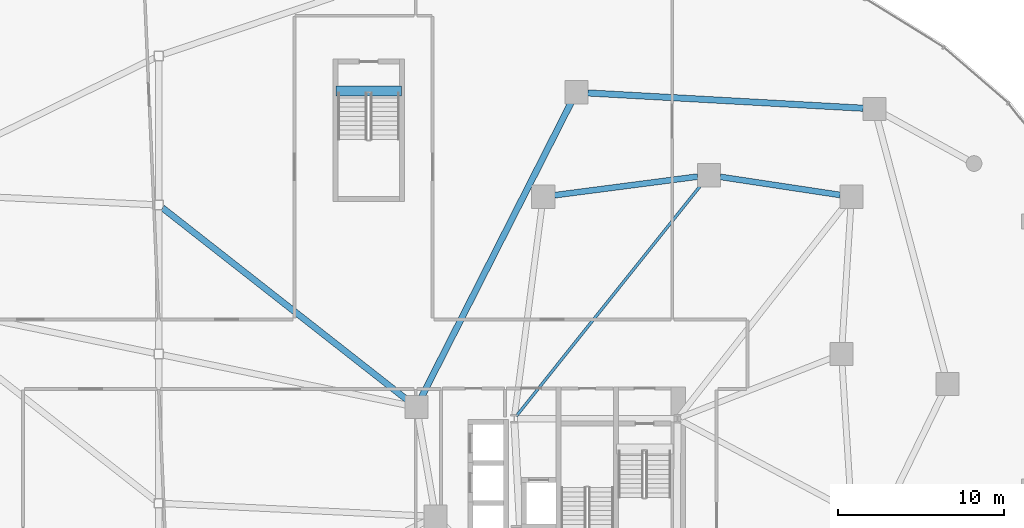
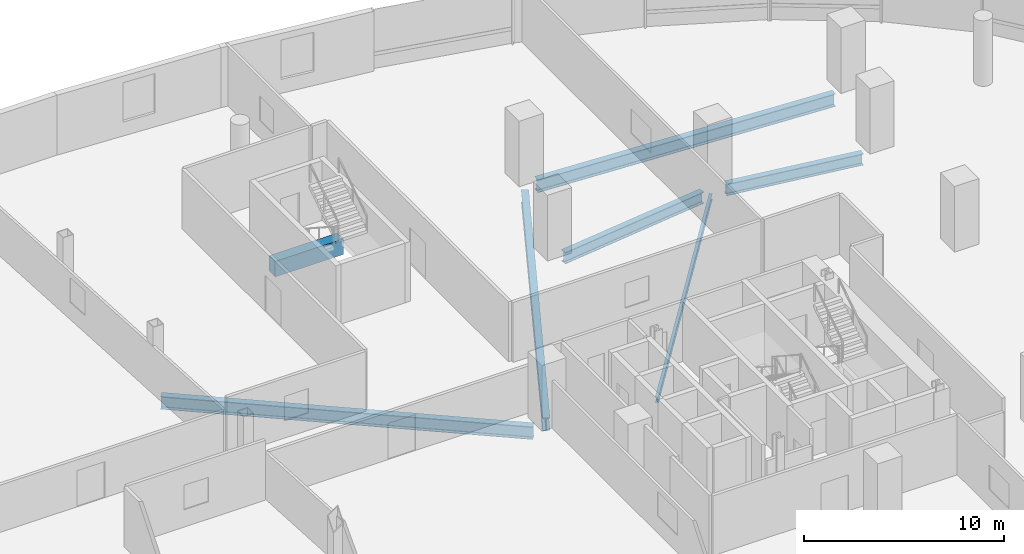
# One storey, part 9 of 19: 7 beams.
"""IFC4 building model written with IfcOpenShell, lengths in metres."""

from ifc_helpers import new_model, si_unit, direction, frame, origin, origin_2d, place, context, subcontext, project, spatial, rectangle, i_section, extrude, material, material_profile, profile_set, type_object, element, save


model = new_model("IFC4")

# Units and contexts
model_context = context("Model", 3, precision=1e-05, world=origin(), true_north=direction((0.0, 1.0)))
body_context = subcontext(model_context, "Body", "Model", "MODEL_VIEW")
ifc_project = project(units=[si_unit("LENGTHUNIT", "METRE"), si_unit("AREAUNIT", "SQUARE_METRE"), si_unit("VOLUMEUNIT", "CUBIC_METRE"), si_unit("PLANEANGLEUNIT", "RADIAN"), si_unit("MASSUNIT", "GRAM", prefix="KILO"), si_unit("THERMODYNAMICTEMPERATUREUNIT", "KELVIN"), si_unit("POWERUNIT", "WATT")], contexts=[model_context])

# Site, building, storey
site_placement = place(None, origin())
site = spatial("IfcSite", under=ifc_project, at=site_placement, CompositionType="ELEMENT")
building_placement = place(site_placement, origin())
building = spatial("IfcBuilding", under=site, at=building_placement, Name="Cundina Bronze Exchange", CompositionType="ELEMENT")
storey_placement = place(building_placement, frame((0.0, 0.0, 16.0)))
storey = spatial("IfcBuildingStorey", under=building, at=storey_placement, Name="L03", CompositionType="ELEMENT", Elevation=16.0)

# Beams
ifc_material_1 = material(Name="Concrete C60/75", Category="concrete")
ifc_material_profile_1 = material_profile(ifc_material_1, rectangle(XDim=0.60009765625, YDim=0.949951171875, at=origin_2d()), Name="RC600X950", Category="concrete")
ifc_profile_set_1 = profile_set([ifc_material_profile_1], Name="Concrete C60/75")
beam_type_1 = type_object("IfcBeamType", Name="BM-COUP-RC950", PredefinedType="LINTEL", material=ifc_profile_set_1)
beam_1_placement = place(storey_placement, frame((10.699951171875, 15.8701171875, -0.47509765625), z_axis=(1.0, 0.0, 0.0), x_axis=(0.0, 1.0, 0.0)))
element("IfcBeam", 1, at=beam_1_placement, inside=storey, type_object=beam_type_1, Name="L03 Concourse Stair E Landing Header Beam", PredefinedType="LINTEL", context=body_context, shape_type="SweptSolid", body=[
    extrude(rectangle(XDim=0.60009765625, YDim=0.949951171875, at=origin_2d()), origin(), (0.0, 0.0, 1.0), 3.93994140625),
])
ifc_material_2 = material(Name="Steel ASTM A992 Grade 50", Category="steel")
ifc_material_profile_2 = material_profile(ifc_material_2, i_section(OverallWidth=0.172119140625, OverallDepth=0.35791015625, WebThickness=0.0078125, FlangeThickness=0.01318359375, FilletRadius=0.010009765625, at=origin_2d()), Name="W14X38", Category="steel")
ifc_profile_set_2 = profile_set([ifc_material_profile_2], Name="Steel ASTM A992 Grade 50")
beam_type_2 = type_object("IfcBeamType", Name="BM-JST-W14", PredefinedType="JOIST", material=ifc_profile_set_2)
beam_2_placement = place(storey_placement, frame((21.577392578125, -3.740478515625, -0.529052734375), z_axis=(0.624374458297, 0.781125172957, 0.0), x_axis=(-0.781125172957, 0.624374458297, 0.0)))
element("IfcBeam", 2, at=beam_2_placement, inside=storey, type_object=beam_type_2, Name="L03 E Interior Core-to-Ring Joist 2", PredefinedType="JOIST", context=body_context, shape_type="SweptSolid", body=[
    extrude(i_section(OverallWidth=0.172119140625, OverallDepth=0.35791015625, WebThickness=0.0078125, FlangeThickness=0.01318359375, FilletRadius=0.010009765625, at=origin_2d()), origin(), (0.0, 0.0, 1.0), 17.927001953125),
])
ifc_material_profile_3 = material_profile(ifc_material_2, i_section(OverallWidth=0.35498046875, OverallDepth=0.695068359375, WebThickness=0.015380859375, FlangeThickness=0.02490234375, FilletRadius=0.01806640625, at=origin_2d()), Name="W27X146", Category="steel")
ifc_profile_set_3 = profile_set([ifc_material_profile_3], Name="Steel ASTM A992 Grade 50")
beam_type_3 = type_object("IfcBeamType", Name="BM-RING-W27", PredefinedType="USERDEFINED", material=ifc_profile_set_3)
beam_3_placement = place(storey_placement, frame((41.11962890625, 9.602783203125, -0.697509765625), z_axis=(-0.988763496177, 0.149488289268, 0.0), x_axis=(-0.149488289268, -0.988763496177, 0.0)))
element("IfcBeam", 3, at=beam_3_placement, inside=storey, type_object=beam_type_3, Name="L03 E Inner Structural Ring Girder 05", ObjectType="GIRDER", PredefinedType="USERDEFINED", context=body_context, shape_type="SweptSolid", body=[
    extrude(i_section(OverallWidth=0.35498046875, OverallDepth=0.695068359375, WebThickness=0.015380859375, FlangeThickness=0.02490234375, FilletRadius=0.01806640625, at=origin_2d()), origin(), (0.0, 0.0, 1.0), 7.321533203125),
])
beam_4_placement = place(storey_placement, frame((32.517578125, 10.711181640625, -0.697509765625), z_axis=(-0.991655975758, -0.128912473185, 0.0), x_axis=(0.128912473185, -0.991655975758, 0.0)))
element("IfcBeam", 4, at=beam_4_placement, inside=storey, type_object=beam_type_3, Name="L03 E Inner Structural Ring Girder 06", ObjectType="GIRDER", PredefinedType="USERDEFINED", context=body_context, shape_type="SweptSolid", body=[
    extrude(i_section(OverallWidth=0.35498046875, OverallDepth=0.695068359375, WebThickness=0.015380859375, FlangeThickness=0.02490234375, FilletRadius=0.01806640625, at=origin_2d()), origin(), (0.0, 0.0, 1.0), 8.7080078125),
])
ifc_material_profile_4 = material_profile(ifc_material_2, i_section(OverallWidth=0.381103515625, OverallDepth=0.77294921875, WebThickness=0.0166015625, FlangeThickness=0.027099609375, FilletRadius=0.01904296875, at=origin_2d()), Name="W30X173", Category="steel")
ifc_profile_set_4 = profile_set([ifc_material_profile_4], Name="Steel ASTM A992 Grade 50")
beam_type_4 = type_object("IfcBeamType", Name="BM-RING-W30", PredefinedType="USERDEFINED", material=ifc_profile_set_4)
beam_5_placement = place(storey_placement, frame((0.2265625, 8.822265625, -0.736572265625), z_axis=(0.786756409396, -0.617263600316, 0.0), x_axis=(0.617263600316, 0.786756409396, 0.0)))
element("IfcBeam", 5, at=beam_5_placement, inside=storey, type_object=beam_type_4, Name="L03 Concourse East Span Girder 04", ObjectType="GIRDER", PredefinedType="USERDEFINED", context=body_context, shape_type="SweptSolid", body=[
    extrude(i_section(OverallWidth=0.381103515625, OverallDepth=0.77294921875, WebThickness=0.0166015625, FlangeThickness=0.027099609375, FilletRadius=0.01904296875, at=origin_2d()), origin(), (0.0, 0.0, 1.0), 18.788818359375),
])
beam_6_placement = place(storey_placement, frame((42.51318359375, 14.838134765625, -0.736572265625), z_axis=(-0.998460668975, 0.055464335483, 0.0), x_axis=(-0.055464335483, -0.998460668975, 0.0)))
element("IfcBeam", 6, at=beam_6_placement, inside=storey, type_object=beam_type_4, Name="L03 E Podium Ring Girder 10", ObjectType="GIRDER", PredefinedType="USERDEFINED", context=body_context, shape_type="SweptSolid", body=[
    extrude(i_section(OverallWidth=0.381103515625, OverallDepth=0.77294921875, WebThickness=0.0166015625, FlangeThickness=0.027099609375, FilletRadius=0.01904296875, at=origin_2d()), origin(), (0.0, 0.0, 1.0), 16.65185546875),
])
beam_7_placement = place(storey_placement, frame((24.888427734375, 15.1865234375, -0.736572265625), z_axis=(-0.452833622724, -0.891595037072, 0.0), x_axis=(0.891595037072, -0.452833622724, 0.0)))
element("IfcBeam", 7, at=beam_7_placement, inside=storey, type_object=beam_type_4, Name="L03 E Podium Ring Girder 12", ObjectType="GIRDER", PredefinedType="USERDEFINED", context=body_context, shape_type="SweptSolid", body=[
    extrude(i_section(OverallWidth=0.381103515625, OverallDepth=0.77294921875, WebThickness=0.0166015625, FlangeThickness=0.027099609375, FilletRadius=0.01904296875, at=origin_2d()), origin(), (0.0, 0.0, 1.0), 19.93408203125),
])

save(model, "model.ifc")
